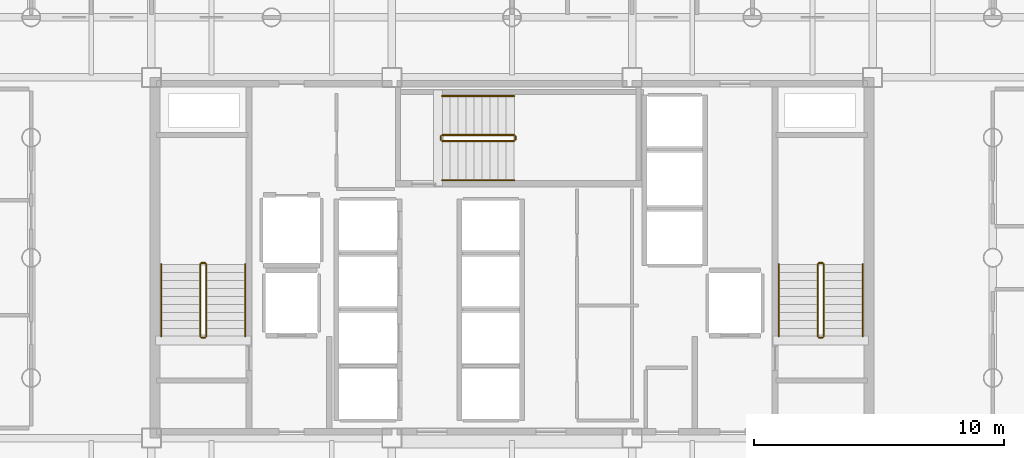
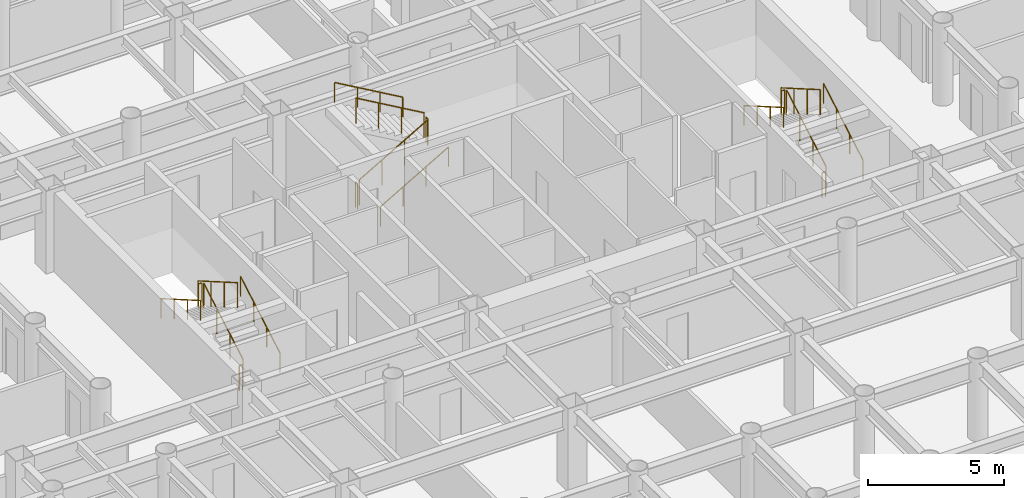
# One storey, part 19 of 19: 18 railings.
"""IFC4 building model written with IfcOpenShell, lengths in metres."""

from ifc_helpers import new_model, si_unit, direction, frame, origin, origin_2d, place, context, subcontext, project, spatial, circle, extrude, material, layer, layer_set, type_object, element, save


model = new_model("IFC4")

# Units and contexts
model_context = context("Model", 3, precision=1e-05, world=origin(), true_north=direction((0.0, 1.0)))
body_context = subcontext(model_context, "Body", "Model", "MODEL_VIEW")
ifc_project = project(units=[si_unit("LENGTHUNIT", "METRE"), si_unit("AREAUNIT", "SQUARE_METRE"), si_unit("VOLUMEUNIT", "CUBIC_METRE"), si_unit("PLANEANGLEUNIT", "RADIAN"), si_unit("MASSUNIT", "GRAM", prefix="KILO")], contexts=[model_context])

# Site, building, storey
site_placement = place(None, origin())
site = spatial("IfcSite", under=ifc_project, at=site_placement, CompositionType="ELEMENT")
building_placement = place(site_placement, origin())
building = spatial("IfcBuilding", under=site, at=building_placement, Name="Kallvorn Hotel Tower", CompositionType="ELEMENT")
storey_placement = place(building_placement, frame((0.0, 0.0, 63.300048828125)))
storey = spatial("IfcBuildingStorey", under=building, at=storey_placement, Name="L14", CompositionType="ELEMENT", Elevation=63.300048828125)

# Railings
ifc_material_1 = material(Name="Brushed stainless-steel tubular railing", Category="steel")
ifc_layer_1 = layer(ifc_material_1, 0.050048828125)
ifc_layer_set_1 = layer_set([ifc_layer_1], Name="RL_STAIR_GUARD")
railing_type_1 = type_object("IfcRailingType", Name="RL_STAIR_GUARD", PredefinedType="GUARDRAIL", material=ifc_layer_set_1)
railing_1_placement = place(storey_placement, frame((-12.2099609375, -3.139892578125, 0.18505859375)))
element("IfcRailing", 1, at=railing_1_placement, inside=storey, type_object=railing_type_1, Name="L14 ST1 stair guard 1", PredefinedType="GUARDRAIL", context=body_context, shape_type="SweptSolid", body=[
    extrude(circle(Radius=0.02392578125, at=origin_2d()), frame((0.0, 0.0, 1.1259765625), z_axis=(0.0, 0.86575271903, 0.500472006703), x_axis=(-1.0, 0.0, 0.0)), (0.0, 0.0, 1.0), 3.326416015625),
    extrude(circle(Radius=0.02099609375, at=origin_2d()), origin(), (0.0, 0.0, 1.0), 1.101806640625),
    extrude(circle(Radius=0.02099609375, at=origin_2d()), frame((0.0, 0.9599609375, 0.554931640625)), (0.0, 0.0, 1.0), 1.101806640625),
    extrude(circle(Radius=0.02099609375, at=origin_2d()), frame((0.0, 1.919921875, 1.10986328125)), (0.0, 0.0, 1.0), 1.101806640625),
    extrude(circle(Radius=0.02099609375, at=origin_2d()), frame((0.0, 2.8798828125, 1.664794921875)), (0.0, 0.0, 1.0), 1.101806640625),
])
railing_2_placement = place(storey_placement, frame((-12.260009765625, -0.2099609375, 1.849853515625)))
element("IfcRailing", 2, at=railing_2_placement, inside=storey, type_object=railing_type_1, Name="L14 ST1 stair guard 2", PredefinedType="GUARDRAIL", context=body_context, shape_type="SweptSolid", body=[
    extrude(circle(Radius=0.02392578125, at=origin_2d()), frame((0.0, 0.0, 1.1259765625), z_axis=(-1.0, 0.0, 0.0), x_axis=(0.0, -1.0, 0.0)), (0.0, 0.0, 1.0), 0.139892578125),
    extrude(circle(Radius=0.02099609375, at=origin_2d()), origin(), (0.0, 0.0, 1.0), 1.101806640625),
    extrude(circle(Radius=0.02099609375, at=origin_2d()), frame((-0.139892578125, 0.0, 0.0)), (0.0, 0.0, 1.0), 1.101806640625),
])
railing_3_placement = place(storey_placement, frame((-12.449951171875, -0.260009765625, 2.034912109375)))
element("IfcRailing", 3, at=railing_3_placement, inside=storey, type_object=railing_type_1, Name="L14 ST1 stair guard 3", PredefinedType="GUARDRAIL", context=body_context, shape_type="SweptSolid", body=[
    extrude(circle(Radius=0.02392578125, at=origin_2d()), frame((0.0, 0.0, 1.1259765625), z_axis=(0.0, -0.865720918037, 0.500527014328), x_axis=(1.0, 0.0, 0.0)), (0.0, 0.0, 1.0), 3.32666015625),
    extrude(circle(Radius=0.02099609375, at=origin_2d()), origin(), (0.0, 0.0, 1.0), 1.101806640625),
    extrude(circle(Radius=0.02099609375, at=origin_2d()), frame((0.0, -0.9599609375, 0.554931640625)), (0.0, 0.0, 1.0), 1.101806640625),
    extrude(circle(Radius=0.02099609375, at=origin_2d()), frame((0.0, -1.919921875, 1.110107421875)), (0.0, 0.0, 1.0), 1.101806640625),
    extrude(circle(Radius=0.02099609375, at=origin_2d()), frame((0.0, -2.8798828125, 1.6650390625)), (0.0, 0.0, 1.0), 1.101806640625),
])
railing_4_placement = place(storey_placement, frame((-12.260009765625, -3.18994140625, 0.0)))
element("IfcRailing", 4, at=railing_4_placement, inside=storey, type_object=railing_type_1, Name="L14 ST1 stair guard 4", PredefinedType="GUARDRAIL", context=body_context, shape_type="SweptSolid", body=[
    extrude(circle(Radius=0.02392578125, at=origin_2d()), frame((0.0, 0.0, 1.1259765625), z_axis=(-1.0, 0.0, 0.0), x_axis=(0.0, -1.0, 0.0)), (0.0, 0.0, 1.0), 0.139892578125),
    extrude(circle(Radius=0.02099609375, at=origin_2d()), origin(), (0.0, 0.0, 1.0), 1.101806640625),
    extrude(circle(Radius=0.02099609375, at=origin_2d()), frame((-0.139892578125, 0.0, 0.0)), (0.0, 0.0, 1.0), 1.101806640625),
])
railing_5_placement = place(storey_placement, frame((12.449951171875, -3.139892578125, 0.18505859375)))
element("IfcRailing", 5, at=railing_5_placement, inside=storey, type_object=railing_type_1, Name="L14 ST2 stair guard 1", PredefinedType="GUARDRAIL", context=body_context, shape_type="SweptSolid", body=[
    extrude(circle(Radius=0.02392578125, at=origin_2d()), frame((0.0, 0.0, 1.1259765625), z_axis=(0.0, 0.86575271903, 0.500472006703), x_axis=(-1.0, 0.0, 0.0)), (0.0, 0.0, 1.0), 3.326416015625),
    extrude(circle(Radius=0.02099609375, at=origin_2d()), origin(), (0.0, 0.0, 1.0), 1.101806640625),
    extrude(circle(Radius=0.02099609375, at=origin_2d()), frame((0.0, 0.9599609375, 0.554931640625)), (0.0, 0.0, 1.0), 1.101806640625),
    extrude(circle(Radius=0.02099609375, at=origin_2d()), frame((0.0, 1.919921875, 1.10986328125)), (0.0, 0.0, 1.0), 1.101806640625),
    extrude(circle(Radius=0.02099609375, at=origin_2d()), frame((0.0, 2.8798828125, 1.664794921875)), (0.0, 0.0, 1.0), 1.101806640625),
])
railing_6_placement = place(storey_placement, frame((12.39990234375, -0.2099609375, 1.849853515625)))
element("IfcRailing", 6, at=railing_6_placement, inside=storey, type_object=railing_type_1, Name="L14 ST2 stair guard 2", PredefinedType="GUARDRAIL", context=body_context, shape_type="SweptSolid", body=[
    extrude(circle(Radius=0.02392578125, at=origin_2d()), frame((0.0, 0.0, 1.1259765625), z_axis=(-1.0, 0.0, 0.0), x_axis=(0.0, -1.0, 0.0)), (0.0, 0.0, 1.0), 0.139892578125),
    extrude(circle(Radius=0.02099609375, at=origin_2d()), origin(), (0.0, 0.0, 1.0), 1.101806640625),
    extrude(circle(Radius=0.02099609375, at=origin_2d()), frame((-0.139892578125, 0.0, 0.0)), (0.0, 0.0, 1.0), 1.101806640625),
])
railing_7_placement = place(storey_placement, frame((12.2099609375, -0.260009765625, 2.034912109375)))
element("IfcRailing", 7, at=railing_7_placement, inside=storey, type_object=railing_type_1, Name="L14 ST2 stair guard 3", PredefinedType="GUARDRAIL", context=body_context, shape_type="SweptSolid", body=[
    extrude(circle(Radius=0.02392578125, at=origin_2d()), frame((0.0, 0.0, 1.1259765625), z_axis=(0.0, -0.865720918037, 0.500527014328), x_axis=(1.0, 0.0, 0.0)), (0.0, 0.0, 1.0), 3.32666015625),
    extrude(circle(Radius=0.02099609375, at=origin_2d()), origin(), (0.0, 0.0, 1.0), 1.101806640625),
    extrude(circle(Radius=0.02099609375, at=origin_2d()), frame((0.0, -0.9599609375, 0.554931640625)), (0.0, 0.0, 1.0), 1.101806640625),
    extrude(circle(Radius=0.02099609375, at=origin_2d()), frame((0.0, -1.919921875, 1.110107421875)), (0.0, 0.0, 1.0), 1.101806640625),
    extrude(circle(Radius=0.02099609375, at=origin_2d()), frame((0.0, -2.8798828125, 1.6650390625)), (0.0, 0.0, 1.0), 1.101806640625),
])
railing_8_placement = place(storey_placement, frame((12.39990234375, -3.18994140625, 0.0)))
element("IfcRailing", 8, at=railing_8_placement, inside=storey, type_object=railing_type_1, Name="L14 ST2 stair guard 4", PredefinedType="GUARDRAIL", context=body_context, shape_type="SweptSolid", body=[
    extrude(circle(Radius=0.02392578125, at=origin_2d()), frame((0.0, 0.0, 1.1259765625), z_axis=(-1.0, 0.0, 0.0), x_axis=(0.0, -1.0, 0.0)), (0.0, 0.0, 1.0), 0.139892578125),
    extrude(circle(Radius=0.02099609375, at=origin_2d()), origin(), (0.0, 0.0, 1.0), 1.101806640625),
    extrude(circle(Radius=0.02099609375, at=origin_2d()), frame((-0.139892578125, 0.0, 0.0)), (0.0, 0.0, 1.0), 1.101806640625),
])
railing_9_placement = place(storey_placement, frame((-2.7900390625, 4.659912109375, 0.18505859375)))
element("IfcRailing", 9, at=railing_9_placement, inside=storey, type_object=railing_type_1, Name="L14 ST3 stair guard 1", PredefinedType="GUARDRAIL", context=body_context, shape_type="SweptSolid", body=[
    extrude(circle(Radius=0.02392578125, at=origin_2d()), frame((0.0, 0.0, 1.1259765625), z_axis=(0.865771100375, 0.0, 0.500440207973), x_axis=(0.0, 1.0, 0.0)), (0.0, 0.0, 1.0), 3.32666015625),
    extrude(circle(Radius=0.02099609375, at=origin_2d()), origin(), (0.0, 0.0, 1.0), 1.101806640625),
    extrude(circle(Radius=0.02099609375, at=origin_2d()), frame((0.9599609375, 0.0, 0.554931640625)), (0.0, 0.0, 1.0), 1.101806640625),
    extrude(circle(Radius=0.02099609375, at=origin_2d()), frame((1.920166015625, 0.0, 1.10986328125)), (0.0, 0.0, 1.0), 1.101806640625),
    extrude(circle(Radius=0.02099609375, at=origin_2d()), frame((2.880126953125, 0.0, 1.664794921875)), (0.0, 0.0, 1.0), 1.101806640625),
])
railing_10_placement = place(storey_placement, frame((0.139892578125, 4.7099609375, 1.849853515625)))
element("IfcRailing", 10, at=railing_10_placement, inside=storey, type_object=railing_type_1, Name="L14 ST3 stair guard 2", PredefinedType="GUARDRAIL", context=body_context, shape_type="SweptSolid", body=[
    extrude(circle(Radius=0.02392578125, at=origin_2d()), frame((0.0, 0.0, 1.1259765625), z_axis=(0.0, 1.0, 0.0), x_axis=(-1.0, 0.0, 0.0)), (0.0, 0.0, 1.0), 0.14013671875),
    extrude(circle(Radius=0.02099609375, at=origin_2d()), origin(), (0.0, 0.0, 1.0), 1.101806640625),
    extrude(circle(Radius=0.02099609375, at=origin_2d()), frame((0.0, 0.14013671875, 0.0)), (0.0, 0.0, 1.0), 1.101806640625),
])
railing_11_placement = place(storey_placement, frame((0.090087890625, 4.89990234375, 2.034912109375)))
element("IfcRailing", 11, at=railing_11_placement, inside=storey, type_object=railing_type_1, Name="L14 ST3 stair guard 3", PredefinedType="GUARDRAIL", context=body_context, shape_type="SweptSolid", body=[
    extrude(circle(Radius=0.02392578125, at=origin_2d()), frame((0.0, 0.0, 1.1259765625), z_axis=(-0.865739302748, 0.0, 0.50049521444), x_axis=(0.0, -1.0, 0.0)), (0.0, 0.0, 1.0), 3.326904296875),
    extrude(circle(Radius=0.02099609375, at=origin_2d()), origin(), (0.0, 0.0, 1.0), 1.101806640625),
    extrude(circle(Radius=0.02099609375, at=origin_2d()), frame((-0.9599609375, 0.0, 0.554931640625)), (0.0, 0.0, 1.0), 1.101806640625),
    extrude(circle(Radius=0.02099609375, at=origin_2d()), frame((-1.920166015625, 0.0, 1.110107421875)), (0.0, 0.0, 1.0), 1.101806640625),
    extrude(circle(Radius=0.02099609375, at=origin_2d()), frame((-2.880126953125, 0.0, 1.6650390625)), (0.0, 0.0, 1.0), 1.101806640625),
])
railing_12_placement = place(storey_placement, frame((-2.840087890625, 4.7099609375, 0.0)))
element("IfcRailing", 12, at=railing_12_placement, inside=storey, type_object=railing_type_1, Name="L14 ST3 stair guard 4", PredefinedType="GUARDRAIL", context=body_context, shape_type="SweptSolid", body=[
    extrude(circle(Radius=0.02392578125, at=origin_2d()), frame((0.0, 0.0, 1.1259765625), z_axis=(0.0, 1.0, 0.0), x_axis=(-1.0, 0.0, 0.0)), (0.0, 0.0, 1.0), 0.14013671875),
    extrude(circle(Radius=0.02099609375, at=origin_2d()), origin(), (0.0, 0.0, 1.0), 1.101806640625),
    extrude(circle(Radius=0.02099609375, at=origin_2d()), frame((0.0, 0.14013671875, 0.0)), (0.0, 0.0, 1.0), 1.101806640625),
])
ifc_material_2 = material(Name="Brushed stainless-steel tubular railing", Category="steel")
ifc_layer_2 = layer(ifc_material_2, 0.050048828125)
ifc_layer_set_2 = layer_set([ifc_layer_2], Name="RL_STAIR_HAND")
railing_type_2 = type_object("IfcRailingType", Name="RL_STAIR_HAND", PredefinedType="HANDRAIL", material=ifc_layer_set_2)
railing_13_placement = place(storey_placement, frame((-10.64990234375, -3.139892578125, 0.18505859375)))
element("IfcRailing", 13, at=railing_13_placement, inside=storey, type_object=railing_type_2, Name="L14 ST1 stair handrail 1", PredefinedType="HANDRAIL", context=body_context, shape_type="SweptSolid", body=[
    extrude(circle(Radius=0.02392578125, at=origin_2d()), frame((0.0, 0.0, 0.8759765625), z_axis=(0.0, 0.86575271903, 0.500472006703), x_axis=(-1.0, 0.0, 0.0)), (0.0, 0.0, 1.0), 3.326416015625),
    extrude(circle(Radius=0.02099609375, at=origin_2d()), origin(), (0.0, 0.0, 1.0), 0.851806640625),
    extrude(circle(Radius=0.02099609375, at=origin_2d()), frame((0.0, 0.9599609375, 0.554931640625)), (0.0, 0.0, 1.0), 0.851806640625),
    extrude(circle(Radius=0.02099609375, at=origin_2d()), frame((0.0, 1.919921875, 1.10986328125)), (0.0, 0.0, 1.0), 0.851806640625),
    extrude(circle(Radius=0.02099609375, at=origin_2d()), frame((0.0, 2.8798828125, 1.664794921875)), (0.0, 0.0, 1.0), 0.851806640625),
])
railing_14_placement = place(storey_placement, frame((-14.010009765625, -0.260009765625, 2.034912109375)))
element("IfcRailing", 14, at=railing_14_placement, inside=storey, type_object=railing_type_2, Name="L14 ST1 stair handrail 2", PredefinedType="HANDRAIL", context=body_context, shape_type="SweptSolid", body=[
    extrude(circle(Radius=0.02392578125, at=origin_2d()), frame((0.0, 0.0, 0.8759765625), z_axis=(0.0, -0.865720918037, 0.500527014328), x_axis=(1.0, 0.0, 0.0)), (0.0, 0.0, 1.0), 3.32666015625),
    extrude(circle(Radius=0.02099609375, at=origin_2d()), origin(), (0.0, 0.0, 1.0), 0.851806640625),
    extrude(circle(Radius=0.02099609375, at=origin_2d()), frame((0.0, -0.9599609375, 0.554931640625)), (0.0, 0.0, 1.0), 0.851806640625),
    extrude(circle(Radius=0.02099609375, at=origin_2d()), frame((0.0, -1.919921875, 1.110107421875)), (0.0, 0.0, 1.0), 0.851806640625),
    extrude(circle(Radius=0.02099609375, at=origin_2d()), frame((0.0, -2.8798828125, 1.6650390625)), (0.0, 0.0, 1.0), 0.851806640625),
])
railing_15_placement = place(storey_placement, frame((14.010009765625, -3.139892578125, 0.18505859375)))
element("IfcRailing", 15, at=railing_15_placement, inside=storey, type_object=railing_type_2, Name="L14 ST2 stair handrail 1", PredefinedType="HANDRAIL", context=body_context, shape_type="SweptSolid", body=[
    extrude(circle(Radius=0.02392578125, at=origin_2d()), frame((0.0, 0.0, 0.8759765625), z_axis=(0.0, 0.86575271903, 0.500472006703), x_axis=(-1.0, 0.0, 0.0)), (0.0, 0.0, 1.0), 3.326416015625),
    extrude(circle(Radius=0.02099609375, at=origin_2d()), origin(), (0.0, 0.0, 1.0), 0.851806640625),
    extrude(circle(Radius=0.02099609375, at=origin_2d()), frame((0.0, 0.9599609375, 0.554931640625)), (0.0, 0.0, 1.0), 0.851806640625),
    extrude(circle(Radius=0.02099609375, at=origin_2d()), frame((0.0, 1.919921875, 1.10986328125)), (0.0, 0.0, 1.0), 0.851806640625),
    extrude(circle(Radius=0.02099609375, at=origin_2d()), frame((0.0, 2.8798828125, 1.664794921875)), (0.0, 0.0, 1.0), 0.851806640625),
])
railing_16_placement = place(storey_placement, frame((10.64990234375, -0.260009765625, 2.034912109375)))
element("IfcRailing", 16, at=railing_16_placement, inside=storey, type_object=railing_type_2, Name="L14 ST2 stair handrail 2", PredefinedType="HANDRAIL", context=body_context, shape_type="SweptSolid", body=[
    extrude(circle(Radius=0.02392578125, at=origin_2d()), frame((0.0, 0.0, 0.8759765625), z_axis=(0.0, -0.865720918037, 0.500527014328), x_axis=(1.0, 0.0, 0.0)), (0.0, 0.0, 1.0), 3.32666015625),
    extrude(circle(Radius=0.02099609375, at=origin_2d()), origin(), (0.0, 0.0, 1.0), 0.851806640625),
    extrude(circle(Radius=0.02099609375, at=origin_2d()), frame((0.0, -0.9599609375, 0.554931640625)), (0.0, 0.0, 1.0), 0.851806640625),
    extrude(circle(Radius=0.02099609375, at=origin_2d()), frame((0.0, -1.919921875, 1.110107421875)), (0.0, 0.0, 1.0), 0.851806640625),
    extrude(circle(Radius=0.02099609375, at=origin_2d()), frame((0.0, -2.8798828125, 1.6650390625)), (0.0, 0.0, 1.0), 0.851806640625),
])
railing_17_placement = place(storey_placement, frame((-2.7900390625, 3.10009765625, 0.18505859375)))
element("IfcRailing", 17, at=railing_17_placement, inside=storey, type_object=railing_type_2, Name="L14 ST3 stair handrail 1", PredefinedType="HANDRAIL", context=body_context, shape_type="SweptSolid", body=[
    extrude(circle(Radius=0.02392578125, at=origin_2d()), frame((0.0, 0.0, 0.8759765625), z_axis=(0.865771100375, 0.0, 0.500440207973), x_axis=(0.0, 1.0, 0.0)), (0.0, 0.0, 1.0), 3.32666015625),
    extrude(circle(Radius=0.02099609375, at=origin_2d()), origin(), (0.0, 0.0, 1.0), 0.851806640625),
    extrude(circle(Radius=0.02099609375, at=origin_2d()), frame((0.9599609375, 0.0, 0.554931640625)), (0.0, 0.0, 1.0), 0.851806640625),
    extrude(circle(Radius=0.02099609375, at=origin_2d()), frame((1.920166015625, 0.0, 1.10986328125)), (0.0, 0.0, 1.0), 0.851806640625),
    extrude(circle(Radius=0.02099609375, at=origin_2d()), frame((2.880126953125, 0.0, 1.664794921875)), (0.0, 0.0, 1.0), 0.851806640625),
])
railing_18_placement = place(storey_placement, frame((0.090087890625, 6.4599609375, 2.034912109375)))
element("IfcRailing", 18, at=railing_18_placement, inside=storey, type_object=railing_type_2, Name="L14 ST3 stair handrail 2", PredefinedType="HANDRAIL", context=body_context, shape_type="SweptSolid", body=[
    extrude(circle(Radius=0.02392578125, at=origin_2d()), frame((0.0, 0.0, 0.8759765625), z_axis=(-0.865739302748, 0.0, 0.50049521444), x_axis=(0.0, -1.0, 0.0)), (0.0, 0.0, 1.0), 3.326904296875),
    extrude(circle(Radius=0.02099609375, at=origin_2d()), origin(), (0.0, 0.0, 1.0), 0.851806640625),
    extrude(circle(Radius=0.02099609375, at=origin_2d()), frame((-0.9599609375, 0.0, 0.554931640625)), (0.0, 0.0, 1.0), 0.851806640625),
    extrude(circle(Radius=0.02099609375, at=origin_2d()), frame((-1.920166015625, 0.0, 1.110107421875)), (0.0, 0.0, 1.0), 0.851806640625),
    extrude(circle(Radius=0.02099609375, at=origin_2d()), frame((-2.880126953125, 0.0, 1.6650390625)), (0.0, 0.0, 1.0), 0.851806640625),
])

save(model, "model.ifc")
